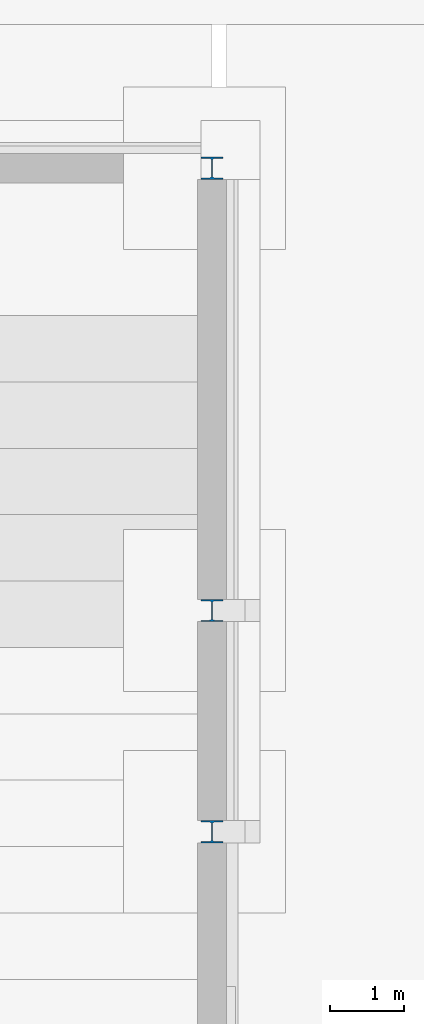
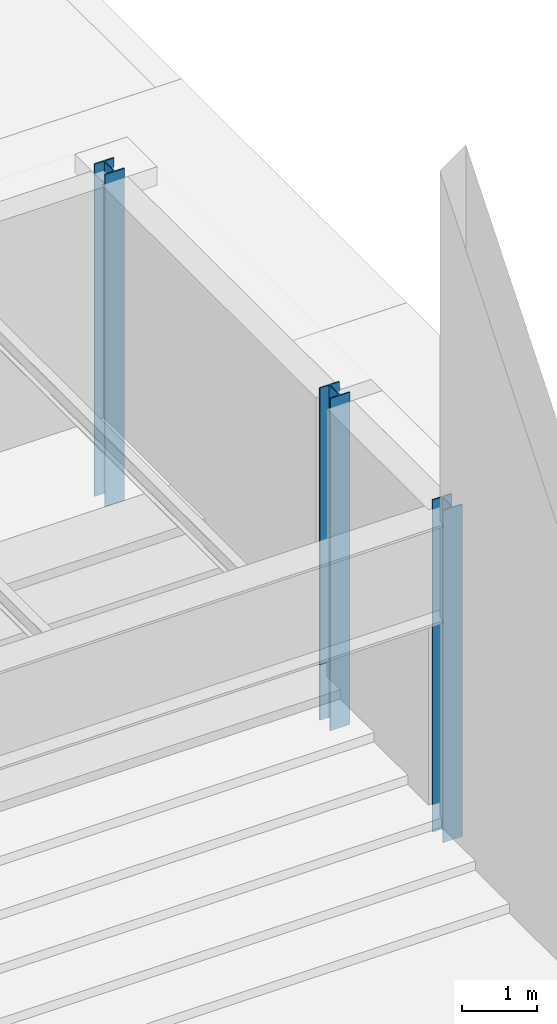
# One storey, part 28 of 126: 3 columns.
"""IFC4 building model written with IfcOpenShell, lengths in metres."""

from ifc_helpers import new_model, si_unit, direction, frame, origin, origin_2d, place, context, subcontext, project, spatial, i_section, extrude, material, material_profile, profile_set, type_object, element, save


model = new_model("IFC4")

# Units and contexts
model_context = context("Model", 3, precision=1e-05, world=origin(), true_north=direction((0.0, 1.0)))
body_context = subcontext(model_context, "Body", "Model", "MODEL_VIEW")
ifc_project = project(units=[si_unit("LENGTHUNIT", "METRE"), si_unit("AREAUNIT", "SQUARE_METRE"), si_unit("VOLUMEUNIT", "CUBIC_METRE"), si_unit("PLANEANGLEUNIT", "RADIAN"), si_unit("MASSUNIT", "GRAM", prefix="KILO")], contexts=[model_context])

# Site, building, storey
site_placement = place(None, origin())
site = spatial("IfcSite", under=ifc_project, at=site_placement, CompositionType="ELEMENT")
building_placement = place(site_placement, origin())
building = spatial("IfcBuilding", under=site, at=building_placement, Name="Kallimachos Central Library", CompositionType="ELEMENT")
storey_placement = place(building_placement, origin())
storey = spatial("IfcBuildingStorey", under=building, at=storey_placement, Name="L00", CompositionType="ELEMENT", Elevation=0.0)

# Columns
ifc_material = material(Name="Steel S355J2", Category="steel")
ifc_material_profile = material_profile(ifc_material, i_section(OverallWidth=0.300048828125, OverallDepth=0.300048828125, WebThickness=0.010986328125, FlangeThickness=0.01904296875, FilletRadius=0.027099609375, at=origin_2d()), Name="HEB 300")
ifc_profile_set = profile_set([ifc_material_profile], Name="Steel S355J2")
column_type = type_object("IfcColumnType", Name="HEB 300 column", PredefinedType="COLUMN", material=ifc_profile_set)
for number, where, z_axis, x_axis, name in (
    (1, (170.0, 105.0, 0.0), (0.0, 0.0, 1.0), (1.0, 0.0, 0.0), "V3-COL-L00-006"),
    (2, (170.0, 114.0, 0.0), (0.0, 0.0, 1.0), (1.0, 0.0, 0.0), "V3-COL-L00-008"),
    (3, (170.0, 108.0, 0.0), (0.0, 0.0, 1.0), (1.0, 0.0, 0.0), "V3-COL-L00-020"),
):
    element("IfcColumn", number, at=place(storey_placement, frame(where, z_axis=z_axis, x_axis=x_axis)), inside=storey, type_object=column_type, Name=name, PredefinedType="COLUMN", context=body_context, shape_type="SweptSolid", body=[
        extrude(i_section(OverallWidth=0.300048828125, OverallDepth=0.300048828125, WebThickness=0.010986328125, FlangeThickness=0.01904296875, FilletRadius=0.027099609375, at=origin_2d()), origin(), (0.0, 0.0, 1.0), 5.39990234375),
    ])

save(model, "model.ifc")
